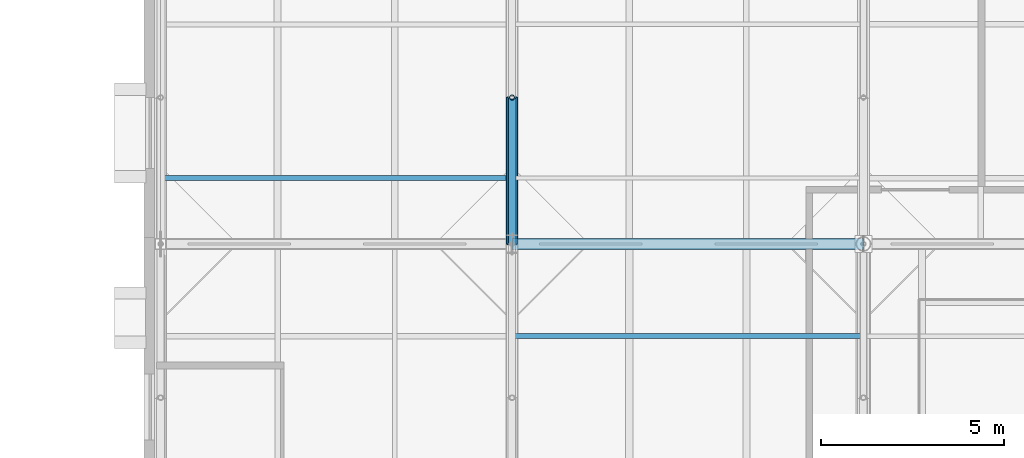
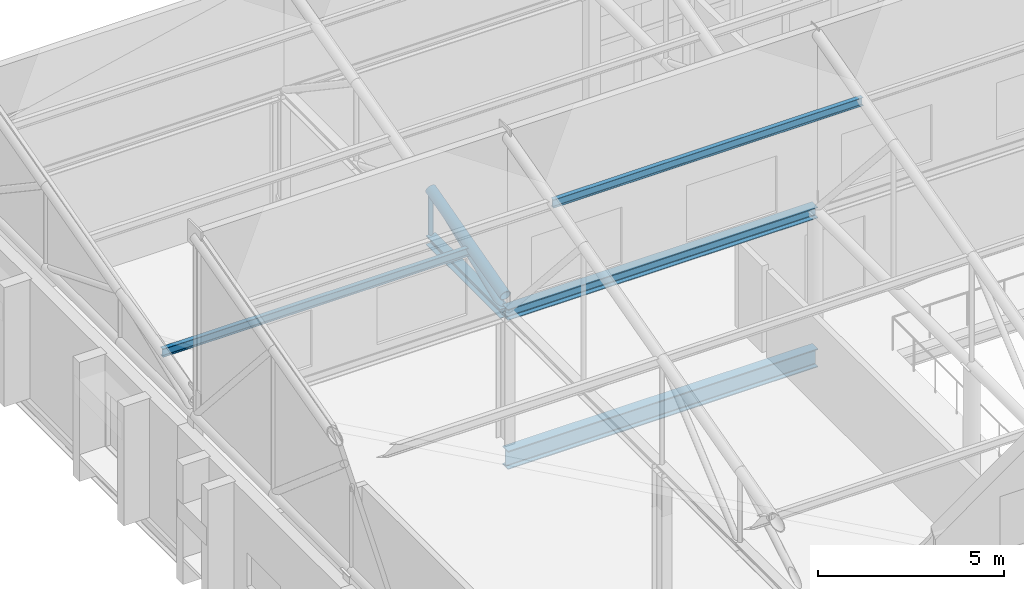
# One storey, part 32 of 89: 6 members, 2 beams.
"""IFC4 building model written with IfcOpenShell, lengths in metres."""

from ifc_helpers import new_model, si_unit, direction, frame, origin, origin_2d, place, context, subcontext, project, spatial, hollow_circle, i_section, extrude, material, material_profile, profile_set, type_object, element, save


model = new_model("IFC4")

# Units and contexts
model_context = context("Model", 3, precision=1e-05, world=origin(), true_north=direction((0.0, 1.0)))
body_context = subcontext(model_context, "Body", "Model", "MODEL_VIEW")
ifc_project = project(units=[si_unit("LENGTHUNIT", "METRE"), si_unit("AREAUNIT", "SQUARE_METRE"), si_unit("VOLUMEUNIT", "CUBIC_METRE"), si_unit("PLANEANGLEUNIT", "RADIAN"), si_unit("MASSUNIT", "GRAM", prefix="KILO")], contexts=[model_context])

# Site, building, storey
site_placement = place(None, origin())
site = spatial("IfcSite", under=ifc_project, at=site_placement, CompositionType="ELEMENT")
building_placement = place(site_placement, origin())
building = spatial("IfcBuilding", under=site, at=building_placement, Name="Zereglee Splitstone Museum", CompositionType="ELEMENT")
storey_placement = place(building_placement, frame((0.0, 0.0, 21.300048828125)))
storey = spatial("IfcBuildingStorey", under=building, at=storey_placement, Name="L04", CompositionType="ELEMENT", Elevation=21.300048828125)

# Members
ifc_material_1 = material(Name="Steel S355J2H", Category="steel")
ifc_material_profile_1 = material_profile(ifc_material_1, hollow_circle(Radius=0.109619140625, WallThickness=0.010009765625, at=origin_2d()), Name="CHS 219.1x10")
ifc_profile_set_1 = profile_set([ifc_material_profile_1], Name="Steel S355J2H")
member_type_1 = type_object("IfcMemberType", Name="TB-03", PredefinedType="BRACE", material=ifc_profile_set_1)
member_1_placement = place(storey_placement, frame((87.60009765625, 38.39990234375, 4.199951171875), z_axis=(0.0, 0.927136001435, 0.374725012299), x_axis=(-1.0, 0.0, 0.0)))
element("IfcMember", 1, at=member_1_placement, inside=storey, type_object=member_type_1, Name="Roof Truss ST-02 Diagonal 3.1", PredefinedType="BRACE", context=body_context, shape_type="SweptSolid", body=[
    extrude(hollow_circle(Radius=0.109619140625, WallThickness=0.010009765625, at=origin_2d()), origin(), (0.0, 0.0, 1.0), 4.314453125),
])
ifc_material_profile_2 = material_profile(ifc_material_1, hollow_circle(Radius=0.161865234375, WallThickness=0.01611328125, at=origin_2d()), Name="CHS 323.9x16")
ifc_profile_set_2 = profile_set([ifc_material_profile_2], Name="Steel S355J2H")
member_type_2 = type_object("IfcMemberType", Name="TC-05", PredefinedType="CHORD", material=ifc_profile_set_2)
member_2_placement = place(storey_placement, frame((87.60009765625, 38.39990234375, 4.75), z_axis=(0.0, 0.966235918422, 0.257658979955), x_axis=(-1.0, 0.0, 0.0)))
element("IfcMember", 2, at=member_2_placement, inside=storey, type_object=member_type_2, Name="Roof Truss ST-02 Top Chord 3.1", PredefinedType="CHORD", context=body_context, shape_type="SweptSolid", body=[
    extrude(hollow_circle(Radius=0.161865234375, WallThickness=0.01611328125, at=origin_2d()), origin(), (0.0, 0.0, 1.0), 4.139892578125),
])
ifc_material_2 = material(Name="Steel S355J2", Category="steel")
ifc_material_profile_3 = material_profile(ifc_material_2, i_section(OverallWidth=0.300048828125, OverallDepth=0.300048828125, WebThickness=0.010986328125, FlangeThickness=0.01904296875, FilletRadius=0.027099609375, at=origin_2d()), Name="HE 300 B")
ifc_profile_set_3 = profile_set([ifc_material_profile_3], Name="Steel S355J2")
member_type_3 = type_object("IfcMemberType", Name="TC-07", PredefinedType="CHORD", material=ifc_profile_set_3)
member_3_placement = place(storey_placement, frame((87.60009765625, 38.39990234375, 4.199951171875), z_axis=(0.0, 1.0, 0.0), x_axis=(-1.0, 0.0, 0.0)))
element("IfcMember", 3, at=member_3_placement, inside=storey, type_object=member_type_3, Name="Roof Truss ST-02 Bottom Chord 3.1", PredefinedType="CHORD", context=body_context, shape_type="SweptSolid", body=[
    extrude(i_section(OverallWidth=0.300048828125, OverallDepth=0.300048828125, WebThickness=0.010986328125, FlangeThickness=0.01904296875, FilletRadius=0.027099609375, at=origin_2d()), origin(), (0.0, 0.0, 1.0), 4.0),
])

# Beams
ifc_material_profile_4 = material_profile(ifc_material_2, i_section(OverallWidth=0.300048828125, OverallDepth=0.360107421875, WebThickness=0.012451171875, FlangeThickness=0.0224609375, FilletRadius=0.027099609375, at=origin_2d()), Name="HE 360 B")
ifc_profile_set_4 = profile_set([ifc_material_profile_4], Name="Steel S355J2")
beam_type_1 = type_object("IfcBeamType", Name="BG-14", PredefinedType="BEAM", material=ifc_profile_set_4)
beam_1_placement = place(storey_placement, frame((87.60009765625, 38.39990234375, 4.199951171875), z_axis=(1.0, 0.0, 0.0), x_axis=(0.0, 1.0, 0.0)))
element("IfcBeam", 4, at=beam_1_placement, inside=storey, type_object=beam_type_1, Name="Sawtooth Monitor Sill Beam B2-S2", PredefinedType="BEAM", context=body_context, shape_type="SweptSolid", body=[
    extrude(i_section(OverallWidth=0.300048828125, OverallDepth=0.360107421875, WebThickness=0.012451171875, FlangeThickness=0.0224609375, FilletRadius=0.027099609375, at=origin_2d()), origin(), (0.0, 0.0, 1.0), 9.599853515625),
])
ifc_material_profile_5 = material_profile(ifc_material_2, i_section(OverallWidth=0.300048828125, OverallDepth=0.60009765625, WebThickness=0.015380859375, FlangeThickness=0.030029296875, FilletRadius=0.027099609375, at=origin_2d()), Name="HE 600 B")
ifc_profile_set_5 = profile_set([ifc_material_profile_5], Name="Steel S355J2")
beam_type_2 = type_object("IfcBeamType", Name="BG-10", PredefinedType="BEAM", material=ifc_profile_set_5)
beam_2_placement = place(storey_placement, frame((87.60009765625, 38.39990234375, -0.56005859375), z_axis=(1.0, 0.0, 0.0), x_axis=(0.0, 1.0, 0.0)))
element("IfcBeam", 5, at=beam_2_placement, inside=storey, type_object=beam_type_2, Name="Primary Girder L04 E (87.6-97.2)", PredefinedType="BEAM", context=body_context, shape_type="SweptSolid", body=[
    extrude(i_section(OverallWidth=0.300048828125, OverallDepth=0.60009765625, WebThickness=0.015380859375, FlangeThickness=0.030029296875, FilletRadius=0.027099609375, at=origin_2d()), origin(), (0.0, 0.0, 1.0), 9.599853515625),
])

# Members
ifc_material_profile_6 = material_profile(ifc_material_1, hollow_circle(Radius=0.06982421875, WallThickness=0.008056640625, at=origin_2d()), Name="CHS 139.7x8")
ifc_profile_set_6 = profile_set([ifc_material_profile_6], Name="Steel S355J2H")
member_type_4 = type_object("IfcMemberType", Name="TP-03", PredefinedType="POST", material=ifc_profile_set_6)
member_4_placement = place(storey_placement, frame((87.60009765625, 42.39990234375, 4.199951171875), z_axis=(0.0, 0.0, 1.0), x_axis=(1.0, 0.0, 0.0)))
element("IfcMember", 6, at=member_4_placement, inside=storey, type_object=member_type_4, Name="Roof Truss ST-02 Post 3.1", PredefinedType="POST", context=body_context, shape_type="SweptSolid", body=[
    extrude(hollow_circle(Radius=0.06982421875, WallThickness=0.008056640625, at=origin_2d()), origin(), (0.0, 0.0, 1.0), 1.61669921875),
])
ifc_material_profile_7 = material_profile(ifc_material_2, i_section(OverallWidth=0.135009765625, OverallDepth=0.27001953125, WebThickness=0.006591796875, FlangeThickness=0.01025390625, FilletRadius=0.014892578125, at=origin_2d()), Name="IPE 270")
ifc_profile_set_7 = profile_set([ifc_material_profile_7], Name="Steel S355J2")
member_type_5 = type_object("IfcMemberType", Name="PR-02", PredefinedType="PURLIN", material=ifc_profile_set_7)
member_5_placement = place(storey_placement, frame((78.0, 40.199951171875, 5.168701171875), z_axis=(1.0, 0.0, 0.0), x_axis=(0.0, 1.0, 0.0)))
element("IfcMember", 7, at=member_5_placement, inside=storey, type_object=member_type_5, Name="Sawtooth Roof Purlin B1-S3-1", PredefinedType="PURLIN", context=body_context, shape_type="SweptSolid", body=[
    extrude(i_section(OverallWidth=0.135009765625, OverallDepth=0.27001953125, WebThickness=0.006591796875, FlangeThickness=0.01025390625, FilletRadius=0.014892578125, at=origin_2d()), origin(), (0.0, 0.0, 1.0), 9.60009765625),
])
member_6_placement = place(storey_placement, frame((87.60009765625, 35.8798828125, 9.3134765625), z_axis=(1.0, 0.0, 0.0), x_axis=(0.0, 1.0, 0.0)))
element("IfcMember", 8, at=member_6_placement, inside=storey, type_object=member_type_5, Name="Sawtooth Roof Purlin B2-S2-3", PredefinedType="PURLIN", context=body_context, shape_type="SweptSolid", body=[
    extrude(i_section(OverallWidth=0.135009765625, OverallDepth=0.27001953125, WebThickness=0.006591796875, FlangeThickness=0.01025390625, FilletRadius=0.014892578125, at=origin_2d()), origin(), (0.0, 0.0, 1.0), 9.599853515625),
])

save(model, "model.ifc")
